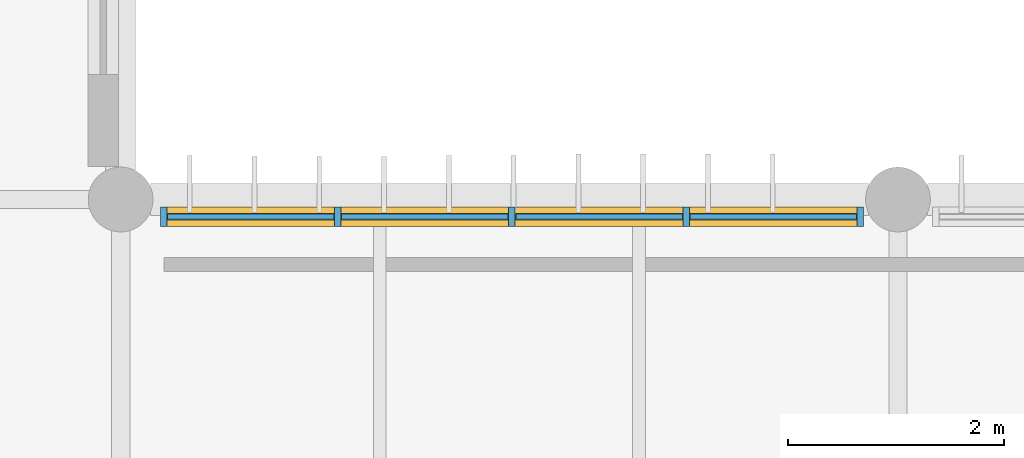
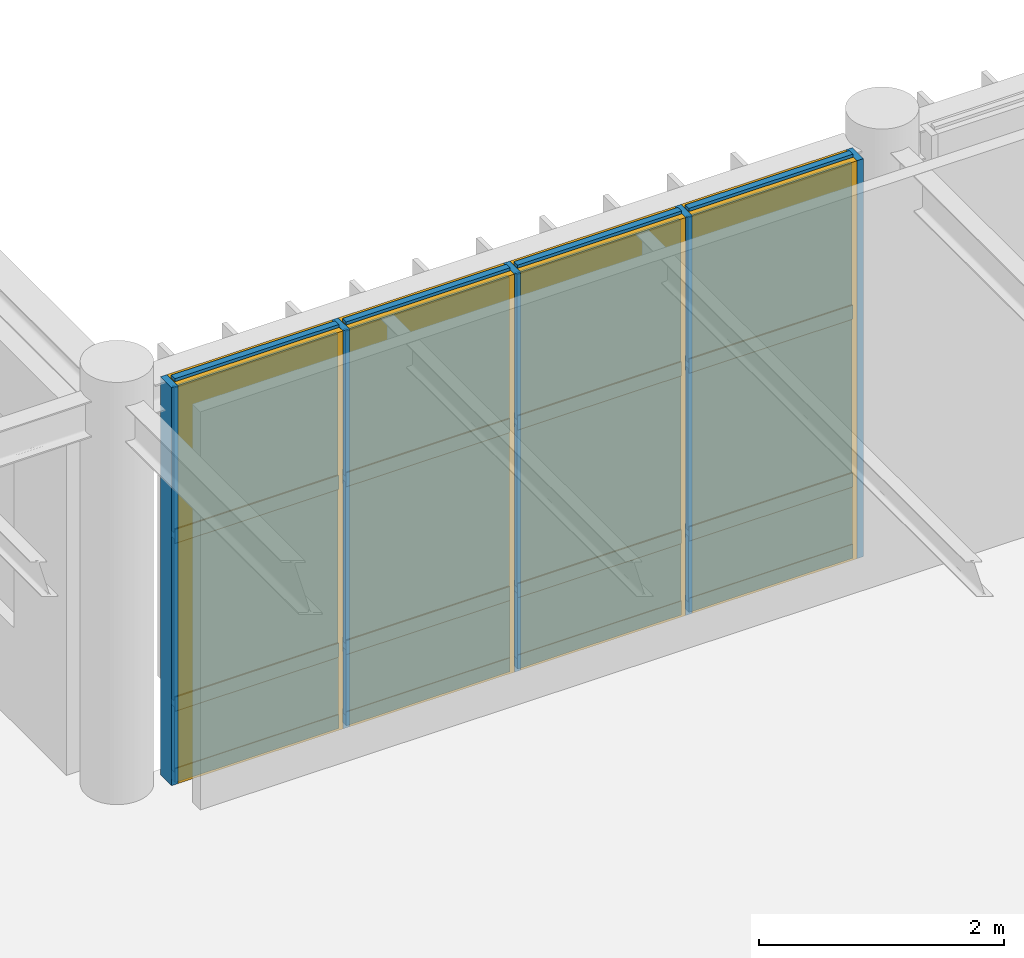
# One storey, part 79 of 104: 21 members, 12 plates, 1 curtain wall.
"""IFC4 building model written with IfcOpenShell, lengths in metres."""

from ifc_helpers import new_model, si_unit, direction, frame, frame_2d, origin, origin_2d, place, context, subcontext, project, spatial, rectangle, extrude, material, layer, layer_set, material_profile, profile_set, type_object, element, aggregate, save


model = new_model("IFC4")

# Units and contexts
model_context = context("Model", 3, precision=1e-05, world=origin(), true_north=direction((0.0, 1.0)))
body_context = subcontext(model_context, "Body", "Model", "MODEL_VIEW")
ifc_project = project(units=[si_unit("LENGTHUNIT", "METRE"), si_unit("AREAUNIT", "SQUARE_METRE"), si_unit("VOLUMEUNIT", "CUBIC_METRE"), si_unit("PLANEANGLEUNIT", "RADIAN"), si_unit("MASSUNIT", "GRAM", prefix="KILO")], contexts=[model_context])

# Member
ifc_material_1 = material(Name="Anodised Bronze Aluminium 6063-T6", Category="aluminium")
ifc_material_profile_1 = material_profile(ifc_material_1, rectangle(XDim=0.06005859375, YDim=0.179931640625, at=origin_2d()), Name="ALU MULLION 60x180")
ifc_profile_set_1 = profile_set([ifc_material_profile_1], Name="Anodised Bronze Aluminium 6063-T6")
member_type_1 = type_object("IfcMemberType", Name="Curtain-Wall Primary Mullion 60x180", PredefinedType="MULLION", material=ifc_profile_set_1)
site_placement = place(None, origin())
building_placement = place(site_placement, origin())
storey_placement = place(building_placement, frame((0.0, 0.0, 9.0)))
member_1_placement = place(storey_placement, frame((95.800048828125, 30.0400390625, 0.0), z_axis=(0.0, 0.0, 1.0), x_axis=(1.0, 0.0, 0.0)))
member_1 = element("IfcMember", 1, at=member_1_placement, type_object=member_type_1, Name="Mullion CWM-01 CW-V5-NRET-E-L02-B1-M01", PredefinedType="MULLION", context=body_context, shape_type="SweptSolid", body=[
    extrude(rectangle(XDim=0.06005859375, YDim=0.179931640625, at=origin_2d()), origin(), (0.0, 0.0, 1.0), 3.9599609375),
])

member_2_placement = place(storey_placement, frame((97.41259765625, 30.0400390625, 0.0), z_axis=(0.0, 0.0, 1.0), x_axis=(1.0, 0.0, 0.0)))
member_2 = element("IfcMember", 2, at=member_2_placement, type_object=member_type_1, Name="Mullion CWM-01 CW-V5-NRET-E-L02-B1-M02", PredefinedType="MULLION", context=body_context, shape_type="SweptSolid", body=[
    extrude(rectangle(XDim=0.06005859375, YDim=0.179931640625, at=origin_2d()), origin(), (0.0, 0.0, 1.0), 3.9599609375),
])

member_3_placement = place(storey_placement, frame((99.02490234375, 30.0400390625, 0.0), z_axis=(0.0, 0.0, 1.0), x_axis=(1.0, 0.0, 0.0)))
member_3 = element("IfcMember", 3, at=member_3_placement, type_object=member_type_1, Name="Mullion CWM-01 CW-V5-NRET-E-L02-B1-M03", PredefinedType="MULLION", context=body_context, shape_type="SweptSolid", body=[
    extrude(rectangle(XDim=0.06005859375, YDim=0.179931640625, at=origin_2d()), origin(), (0.0, 0.0, 1.0), 3.9599609375),
])

member_4_placement = place(storey_placement, frame((100.637451171875, 30.0400390625, 0.0), z_axis=(0.0, 0.0, 1.0), x_axis=(1.0, 0.0, 0.0)))
member_4 = element("IfcMember", 4, at=member_4_placement, type_object=member_type_1, Name="Mullion CWM-01 CW-V5-NRET-E-L02-B1-M04", PredefinedType="MULLION", context=body_context, shape_type="SweptSolid", body=[
    extrude(rectangle(XDim=0.06005859375, YDim=0.179931640625, at=origin_2d()), origin(), (0.0, 0.0, 1.0), 3.9599609375),
])

member_5_placement = place(storey_placement, frame((102.25, 30.0400390625, 0.0), z_axis=(0.0, 0.0, 1.0), x_axis=(1.0, 0.0, 0.0)))
member_5 = element("IfcMember", 5, at=member_5_placement, type_object=member_type_1, Name="Mullion CWM-01 CW-V5-NRET-E-L02-B1-M05", PredefinedType="MULLION", context=body_context, shape_type="SweptSolid", body=[
    extrude(rectangle(XDim=0.06005859375, YDim=0.179931640625, at=origin_2d()), origin(), (0.0, 0.0, 1.0), 3.9599609375),
])

ifc_material_profile_2 = material_profile(ifc_material_1, rectangle(XDim=0.06005859375, YDim=0.139892578125, at=origin_2d()), Name="ALU TRANSOM 60x140")
ifc_profile_set_2 = profile_set([ifc_material_profile_2], Name="Anodised Bronze Aluminium 6063-T6")
member_type_2 = type_object("IfcMemberType", Name="Curtain-Wall Transom 60x140", PredefinedType="USERDEFINED", material=ifc_profile_set_2)
member_6_placement = place(storey_placement, frame((95.8349609375, 30.0400390625, 0.0400390625), z_axis=(1.0, 0.0, 0.0), x_axis=(0.0, 1.0, 0.0)))
member_6 = element("IfcMember", 6, at=member_6_placement, type_object=member_type_2, Name="Transom CWT-01 CW-V5-NRET-E-L02-B1-T01.1", ObjectType="TRANSOM", PredefinedType="USERDEFINED", context=body_context, shape_type="SweptSolid", body=[
    extrude(rectangle(XDim=0.06005859375, YDim=0.139892578125, at=origin_2d()), origin(), (0.0, 0.0, 1.0), 1.54248046875),
])

member_7_placement = place(storey_placement, frame((95.8349609375, 30.0400390625, 0.75), z_axis=(1.0, 0.0, 0.0), x_axis=(0.0, 1.0, 0.0)))
member_7 = element("IfcMember", 7, at=member_7_placement, type_object=member_type_2, Name="Transom CWT-01 CW-V5-NRET-E-L02-B1-T01.2", ObjectType="TRANSOM", PredefinedType="USERDEFINED", context=body_context, shape_type="SweptSolid", body=[
    extrude(rectangle(XDim=0.06005859375, YDim=0.139892578125, at=origin_2d()), origin(), (0.0, 0.0, 1.0), 1.54248046875),
])

member_8_placement = place(storey_placement, frame((95.8349609375, 30.0400390625, 2.419189453125), z_axis=(1.0, 0.0, 0.0), x_axis=(0.0, 1.0, 0.0)))
member_8 = element("IfcMember", 8, at=member_8_placement, type_object=member_type_2, Name="Transom CWT-01 CW-V5-NRET-E-L02-B1-T01.3", ObjectType="TRANSOM", PredefinedType="USERDEFINED", context=body_context, shape_type="SweptSolid", body=[
    extrude(rectangle(XDim=0.06005859375, YDim=0.139892578125, at=origin_2d()), origin(), (0.0, 0.0, 1.0), 1.54248046875),
])

member_9_placement = place(storey_placement, frame((95.8349609375, 30.0400390625, 3.919921875), z_axis=(1.0, 0.0, 0.0), x_axis=(0.0, 1.0, 0.0)))
member_9 = element("IfcMember", 9, at=member_9_placement, type_object=member_type_2, Name="Transom CWT-01 CW-V5-NRET-E-L02-B1-T01.4", ObjectType="TRANSOM", PredefinedType="USERDEFINED", context=body_context, shape_type="SweptSolid", body=[
    extrude(rectangle(XDim=0.06005859375, YDim=0.139892578125, at=origin_2d()), origin(), (0.0, 0.0, 1.0), 1.54248046875),
])

member_10_placement = place(storey_placement, frame((97.447509765625, 30.0400390625, 0.0400390625), z_axis=(1.0, 0.0, 0.0), x_axis=(0.0, 1.0, 0.0)))
member_10 = element("IfcMember", 10, at=member_10_placement, type_object=member_type_2, Name="Transom CWT-01 CW-V5-NRET-E-L02-B1-T02.1", ObjectType="TRANSOM", PredefinedType="USERDEFINED", context=body_context, shape_type="SweptSolid", body=[
    extrude(rectangle(XDim=0.06005859375, YDim=0.139892578125, at=origin_2d()), origin(), (0.0, 0.0, 1.0), 1.54248046875),
])

member_11_placement = place(storey_placement, frame((97.447509765625, 30.0400390625, 0.75), z_axis=(1.0, 0.0, 0.0), x_axis=(0.0, 1.0, 0.0)))
member_11 = element("IfcMember", 11, at=member_11_placement, type_object=member_type_2, Name="Transom CWT-01 CW-V5-NRET-E-L02-B1-T02.2", ObjectType="TRANSOM", PredefinedType="USERDEFINED", context=body_context, shape_type="SweptSolid", body=[
    extrude(rectangle(XDim=0.06005859375, YDim=0.139892578125, at=origin_2d()), origin(), (0.0, 0.0, 1.0), 1.54248046875),
])

member_12_placement = place(storey_placement, frame((97.447509765625, 30.0400390625, 2.419189453125), z_axis=(1.0, 0.0, 0.0), x_axis=(0.0, 1.0, 0.0)))
member_12 = element("IfcMember", 12, at=member_12_placement, type_object=member_type_2, Name="Transom CWT-01 CW-V5-NRET-E-L02-B1-T02.3", ObjectType="TRANSOM", PredefinedType="USERDEFINED", context=body_context, shape_type="SweptSolid", body=[
    extrude(rectangle(XDim=0.06005859375, YDim=0.139892578125, at=origin_2d()), origin(), (0.0, 0.0, 1.0), 1.54248046875),
])

member_13_placement = place(storey_placement, frame((97.447509765625, 30.0400390625, 3.919921875), z_axis=(1.0, 0.0, 0.0), x_axis=(0.0, 1.0, 0.0)))
member_13 = element("IfcMember", 13, at=member_13_placement, type_object=member_type_2, Name="Transom CWT-01 CW-V5-NRET-E-L02-B1-T02.4", ObjectType="TRANSOM", PredefinedType="USERDEFINED", context=body_context, shape_type="SweptSolid", body=[
    extrude(rectangle(XDim=0.06005859375, YDim=0.139892578125, at=origin_2d()), origin(), (0.0, 0.0, 1.0), 1.54248046875),
])

member_14_placement = place(storey_placement, frame((99.06005859375, 30.0400390625, 0.0400390625), z_axis=(1.0, 0.0, 0.0), x_axis=(0.0, 1.0, 0.0)))
member_14 = element("IfcMember", 14, at=member_14_placement, type_object=member_type_2, Name="Transom CWT-01 CW-V5-NRET-E-L02-B1-T03.1", ObjectType="TRANSOM", PredefinedType="USERDEFINED", context=body_context, shape_type="SweptSolid", body=[
    extrude(rectangle(XDim=0.06005859375, YDim=0.139892578125, at=origin_2d()), origin(), (0.0, 0.0, 1.0), 1.54248046875),
])

member_15_placement = place(storey_placement, frame((99.06005859375, 30.0400390625, 0.75), z_axis=(1.0, 0.0, 0.0), x_axis=(0.0, 1.0, 0.0)))
member_15 = element("IfcMember", 15, at=member_15_placement, type_object=member_type_2, Name="Transom CWT-01 CW-V5-NRET-E-L02-B1-T03.2", ObjectType="TRANSOM", PredefinedType="USERDEFINED", context=body_context, shape_type="SweptSolid", body=[
    extrude(rectangle(XDim=0.06005859375, YDim=0.139892578125, at=origin_2d()), origin(), (0.0, 0.0, 1.0), 1.54248046875),
])

member_16_placement = place(storey_placement, frame((99.06005859375, 30.0400390625, 2.419189453125), z_axis=(1.0, 0.0, 0.0), x_axis=(0.0, 1.0, 0.0)))
member_16 = element("IfcMember", 16, at=member_16_placement, type_object=member_type_2, Name="Transom CWT-01 CW-V5-NRET-E-L02-B1-T03.3", ObjectType="TRANSOM", PredefinedType="USERDEFINED", context=body_context, shape_type="SweptSolid", body=[
    extrude(rectangle(XDim=0.06005859375, YDim=0.139892578125, at=origin_2d()), origin(), (0.0, 0.0, 1.0), 1.54248046875),
])

member_17_placement = place(storey_placement, frame((99.06005859375, 30.0400390625, 3.919921875), z_axis=(1.0, 0.0, 0.0), x_axis=(0.0, 1.0, 0.0)))
member_17 = element("IfcMember", 17, at=member_17_placement, type_object=member_type_2, Name="Transom CWT-01 CW-V5-NRET-E-L02-B1-T03.4", ObjectType="TRANSOM", PredefinedType="USERDEFINED", context=body_context, shape_type="SweptSolid", body=[
    extrude(rectangle(XDim=0.06005859375, YDim=0.139892578125, at=origin_2d()), origin(), (0.0, 0.0, 1.0), 1.54248046875),
])

member_18_placement = place(storey_placement, frame((100.672607421875, 30.0400390625, 0.0400390625), z_axis=(1.0, 0.0, 0.0), x_axis=(0.0, 1.0, 0.0)))
member_18 = element("IfcMember", 18, at=member_18_placement, type_object=member_type_2, Name="Transom CWT-01 CW-V5-NRET-E-L02-B1-T04.1", ObjectType="TRANSOM", PredefinedType="USERDEFINED", context=body_context, shape_type="SweptSolid", body=[
    extrude(rectangle(XDim=0.06005859375, YDim=0.139892578125, at=origin_2d()), origin(), (0.0, 0.0, 1.0), 1.54248046875),
])

member_19_placement = place(storey_placement, frame((100.672607421875, 30.0400390625, 0.75), z_axis=(1.0, 0.0, 0.0), x_axis=(0.0, 1.0, 0.0)))
member_19 = element("IfcMember", 19, at=member_19_placement, type_object=member_type_2, Name="Transom CWT-01 CW-V5-NRET-E-L02-B1-T04.2", ObjectType="TRANSOM", PredefinedType="USERDEFINED", context=body_context, shape_type="SweptSolid", body=[
    extrude(rectangle(XDim=0.06005859375, YDim=0.139892578125, at=origin_2d()), origin(), (0.0, 0.0, 1.0), 1.54248046875),
])

member_20_placement = place(storey_placement, frame((100.672607421875, 30.0400390625, 2.419189453125), z_axis=(1.0, 0.0, 0.0), x_axis=(0.0, 1.0, 0.0)))
member_20 = element("IfcMember", 20, at=member_20_placement, type_object=member_type_2, Name="Transom CWT-01 CW-V5-NRET-E-L02-B1-T04.3", ObjectType="TRANSOM", PredefinedType="USERDEFINED", context=body_context, shape_type="SweptSolid", body=[
    extrude(rectangle(XDim=0.06005859375, YDim=0.139892578125, at=origin_2d()), origin(), (0.0, 0.0, 1.0), 1.54248046875),
])

member_21_placement = place(storey_placement, frame((100.672607421875, 30.0400390625, 3.919921875), z_axis=(1.0, 0.0, 0.0), x_axis=(0.0, 1.0, 0.0)))
member_21 = element("IfcMember", 21, at=member_21_placement, type_object=member_type_2, Name="Transom CWT-01 CW-V5-NRET-E-L02-B1-T04.4", ObjectType="TRANSOM", PredefinedType="USERDEFINED", context=body_context, shape_type="SweptSolid", body=[
    extrude(rectangle(XDim=0.06005859375, YDim=0.139892578125, at=origin_2d()), origin(), (0.0, 0.0, 1.0), 1.54248046875),
])

# Plate
ifc_material_2 = material(Name="Insulated Bronze Aluminium Spandrel Panel", Category="aluminium")
ifc_layer_1 = layer(ifc_material_2, 0.050048828125, Name="Insulated Bronze Aluminium Spandrel Panel")
ifc_layer_set_1 = layer_set([ifc_layer_1], Name="Insulated Bronze Aluminium Spandrel Panel")
plate_type_1 = type_object("IfcPlateType", Name="Insulated Anodised Aluminium Spandrel Cassette 50", PredefinedType="CURTAIN_PANEL", material=ifc_layer_set_1)
plate_1_placement = place(storey_placement, frame((96.606201171875, 30.0400390625, 0.070068359375), z_axis=(0.0, 0.0, 1.0), x_axis=(1.0, 0.0, 0.0)))
plate_1 = element("IfcPlate", 22, at=plate_1_placement, type_object=plate_type_1, Name="Curtain Panel CWP-03 CW-V5-NRET-E-L02-B1-P01.1", PredefinedType="CURTAIN_PANEL", context=body_context, shape_type="SweptSolid", body=[
    extrude(rectangle(XDim=1.54248046875, YDim=0.050048828125, at=origin_2d()), origin(), (0.0, 0.0, 1.0), 0.64990234375),
])

plate_2_placement = place(storey_placement, frame((98.21875, 30.0400390625, 0.070068359375), z_axis=(0.0, 0.0, 1.0), x_axis=(1.0, 0.0, 0.0)))
plate_2 = element("IfcPlate", 23, at=plate_2_placement, type_object=plate_type_1, Name="Curtain Panel CWP-03 CW-V5-NRET-E-L02-B1-P02.1", PredefinedType="CURTAIN_PANEL", context=body_context, shape_type="SweptSolid", body=[
    extrude(rectangle(XDim=1.54248046875, YDim=0.050048828125, at=origin_2d()), origin(), (0.0, 0.0, 1.0), 0.64990234375),
])

plate_3_placement = place(storey_placement, frame((99.831298828125, 30.0400390625, 0.070068359375), z_axis=(0.0, 0.0, 1.0), x_axis=(1.0, 0.0, 0.0)))
plate_3 = element("IfcPlate", 24, at=plate_3_placement, type_object=plate_type_1, Name="Curtain Panel CWP-03 CW-V5-NRET-E-L02-B1-P03.1", PredefinedType="CURTAIN_PANEL", context=body_context, shape_type="SweptSolid", body=[
    extrude(rectangle(XDim=1.54248046875, YDim=0.050048828125, at=origin_2d()), origin(), (0.0, 0.0, 1.0), 0.64990234375),
])

plate_4_placement = place(storey_placement, frame((101.443603515625, 30.0400390625, 0.070068359375), z_axis=(0.0, 0.0, 1.0), x_axis=(1.0, 0.0, 0.0)))
plate_4 = element("IfcPlate", 25, at=plate_4_placement, type_object=plate_type_1, Name="Curtain Panel CWP-03 CW-V5-NRET-E-L02-B1-P04.1", PredefinedType="CURTAIN_PANEL", context=body_context, shape_type="SweptSolid", body=[
    extrude(rectangle(XDim=1.54248046875, YDim=0.050048828125, at=origin_2d()), origin(), (0.0, 0.0, 1.0), 0.64990234375),
])

ifc_material_3 = material(Name="Solar-Control Tempered Double Glazing", Category="glass")
ifc_layer_2 = layer(ifc_material_3, 0.0380859375, Name="Solar-Control Tempered Double Glazing")
ifc_layer_set_2 = layer_set([ifc_layer_2], Name="Solar-Control Tempered Double Glazing")
plate_type_2 = type_object("IfcPlateType", Name="Solar-Control Vision Glazing Unit 38", PredefinedType="CURTAIN_PANEL", material=ifc_layer_set_2)
plate_5_placement = place(storey_placement, frame((96.606201171875, 30.0400390625, 0.7802734375), z_axis=(0.0, 0.0, 1.0), x_axis=(1.0, 0.0, 0.0)))
plate_5 = element("IfcPlate", 26, at=plate_5_placement, type_object=plate_type_2, Name="Curtain Panel CWP-02 CW-V5-NRET-E-L02-B1-P01.2", PredefinedType="CURTAIN_PANEL", context=body_context, shape_type="SweptSolid", body=[
    extrude(rectangle(XDim=1.54248046875, YDim=0.0380859375, at=origin_2d()), origin(), (0.0, 0.0, 1.0), 1.609130859375),
])

plate_6_placement = place(storey_placement, frame((96.606201171875, 30.0400390625, 2.44921875), z_axis=(0.0, 0.0, 1.0), x_axis=(1.0, 0.0, 0.0)))
plate_6 = element("IfcPlate", 27, at=plate_6_placement, type_object=plate_type_2, Name="Curtain Panel CWP-02 CW-V5-NRET-E-L02-B1-P01.3", PredefinedType="CURTAIN_PANEL", context=body_context, shape_type="SweptSolid", body=[
    extrude(rectangle(XDim=1.54248046875, YDim=0.0380859375, at=origin_2d()), origin(), (0.0, 0.0, 1.0), 1.44091796875),
])

plate_7_placement = place(storey_placement, frame((98.21875, 30.0400390625, 0.7802734375), z_axis=(0.0, 0.0, 1.0), x_axis=(1.0, 0.0, 0.0)))
plate_7 = element("IfcPlate", 28, at=plate_7_placement, type_object=plate_type_2, Name="Curtain Panel CWP-02 CW-V5-NRET-E-L02-B1-P02.2", PredefinedType="CURTAIN_PANEL", context=body_context, shape_type="SweptSolid", body=[
    extrude(rectangle(XDim=1.54248046875, YDim=0.0380859375, at=origin_2d()), origin(), (0.0, 0.0, 1.0), 1.609130859375),
])

plate_8_placement = place(storey_placement, frame((98.21875, 30.0400390625, 2.44921875), z_axis=(0.0, 0.0, 1.0), x_axis=(1.0, 0.0, 0.0)))
plate_8 = element("IfcPlate", 29, at=plate_8_placement, type_object=plate_type_2, Name="Curtain Panel CWP-02 CW-V5-NRET-E-L02-B1-P02.3", PredefinedType="CURTAIN_PANEL", context=body_context, shape_type="SweptSolid", body=[
    extrude(rectangle(XDim=1.54248046875, YDim=0.0380859375, at=origin_2d()), origin(), (0.0, 0.0, 1.0), 1.44091796875),
])

plate_9_placement = place(storey_placement, frame((99.831298828125, 30.0400390625, 0.7802734375), z_axis=(0.0, 0.0, 1.0), x_axis=(1.0, 0.0, 0.0)))
plate_9 = element("IfcPlate", 30, at=plate_9_placement, type_object=plate_type_2, Name="Curtain Panel CWP-02 CW-V5-NRET-E-L02-B1-P03.2", PredefinedType="CURTAIN_PANEL", context=body_context, shape_type="SweptSolid", body=[
    extrude(rectangle(XDim=1.54248046875, YDim=0.0380859375, at=origin_2d()), origin(), (0.0, 0.0, 1.0), 1.609130859375),
])

plate_10_placement = place(storey_placement, frame((99.831298828125, 30.0400390625, 2.44921875), z_axis=(0.0, 0.0, 1.0), x_axis=(1.0, 0.0, 0.0)))
plate_10 = element("IfcPlate", 31, at=plate_10_placement, type_object=plate_type_2, Name="Curtain Panel CWP-02 CW-V5-NRET-E-L02-B1-P03.3", PredefinedType="CURTAIN_PANEL", context=body_context, shape_type="SweptSolid", body=[
    extrude(rectangle(XDim=1.54248046875, YDim=0.0380859375, at=origin_2d()), origin(), (0.0, 0.0, 1.0), 1.44091796875),
])

plate_11_placement = place(storey_placement, frame((101.443603515625, 30.0400390625, 0.7802734375), z_axis=(0.0, 0.0, 1.0), x_axis=(1.0, 0.0, 0.0)))
plate_11 = element("IfcPlate", 32, at=plate_11_placement, type_object=plate_type_2, Name="Curtain Panel CWP-02 CW-V5-NRET-E-L02-B1-P04.2", PredefinedType="CURTAIN_PANEL", context=body_context, shape_type="SweptSolid", body=[
    extrude(rectangle(XDim=1.54248046875, YDim=0.0380859375, at=origin_2d()), origin(), (0.0, 0.0, 1.0), 1.609130859375),
])

plate_12_placement = place(storey_placement, frame((101.443603515625, 30.0400390625, 2.44921875), z_axis=(0.0, 0.0, 1.0), x_axis=(1.0, 0.0, 0.0)))
plate_12 = element("IfcPlate", 33, at=plate_12_placement, type_object=plate_type_2, Name="Curtain Panel CWP-02 CW-V5-NRET-E-L02-B1-P04.3", PredefinedType="CURTAIN_PANEL", context=body_context, shape_type="SweptSolid", body=[
    extrude(rectangle(XDim=1.54248046875, YDim=0.0380859375, at=origin_2d()), origin(), (0.0, 0.0, 1.0), 1.44091796875),
])

# Site, building, storey
site = spatial("IfcSite", under=ifc_project, at=site_placement, CompositionType="ELEMENT")
building = spatial("IfcBuilding", under=site, at=building_placement, Name="Tazoul Stagehouse", CompositionType="ELEMENT")
storey = spatial("IfcBuildingStorey", under=building, at=storey_placement, Name="L02", CompositionType="ELEMENT", Elevation=9.0)

# Curtain wall
curtain_wall_type = type_object("IfcCurtainWallType", Name="Foyer Clear Solar-Control Curtain Wall", PredefinedType="NOTDEFINED", material=ifc_material_1)
curtain_wall_placement = place(storey_placement, frame((95.800048828125, 30.0400390625, 0.0), z_axis=(0.0, 0.0, 1.0), x_axis=(1.0, 0.0, 0.0)))
curtain_wall = element("IfcCurtainWall", 34, at=curtain_wall_placement, inside=storey, type_object=curtain_wall_type, Name="L02 Curtain Wall CW-02 (CW-V5-NRET-E-L02-B1)", PredefinedType="NOTDEFINED", context=body_context, shape_type="SweptSolid", body=[
    extrude(rectangle(XDim=6.449951171875, YDim=0.179931640625, at=frame_2d((3.22509765625, 0.0))), origin(), (0.0, 0.0, 1.0), 3.9599609375),
])

aggregate(curtain_wall, [member_1, member_2, member_3, member_4, member_5, member_6, member_7, member_8, member_9, plate_1, plate_5, plate_6, member_10, member_11, member_12, member_13, plate_2, plate_7, plate_8, member_14, member_15, member_16, member_17, plate_3, plate_9, plate_10, member_18, member_19, member_20, member_21, plate_4, plate_11, plate_12])

save(model, "model.ifc")
